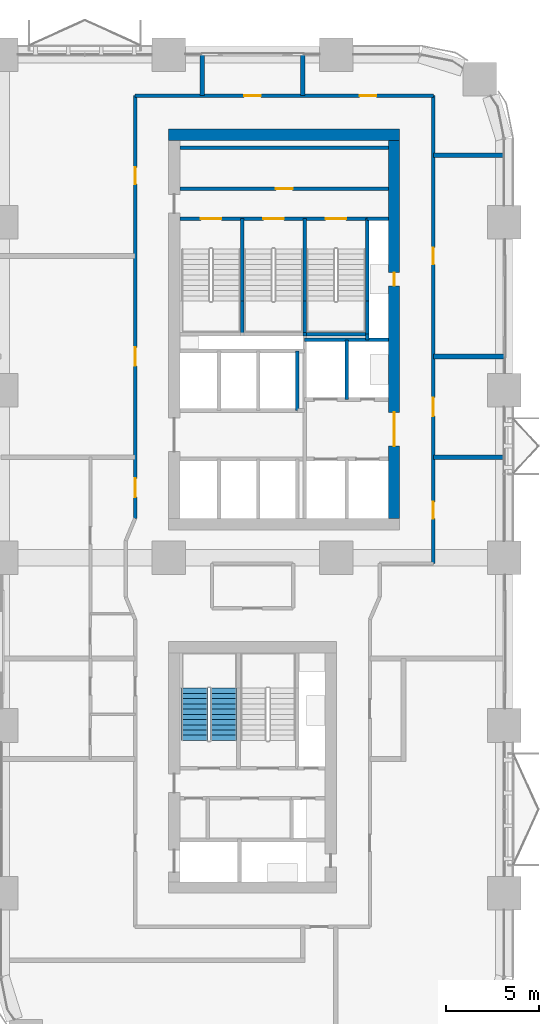
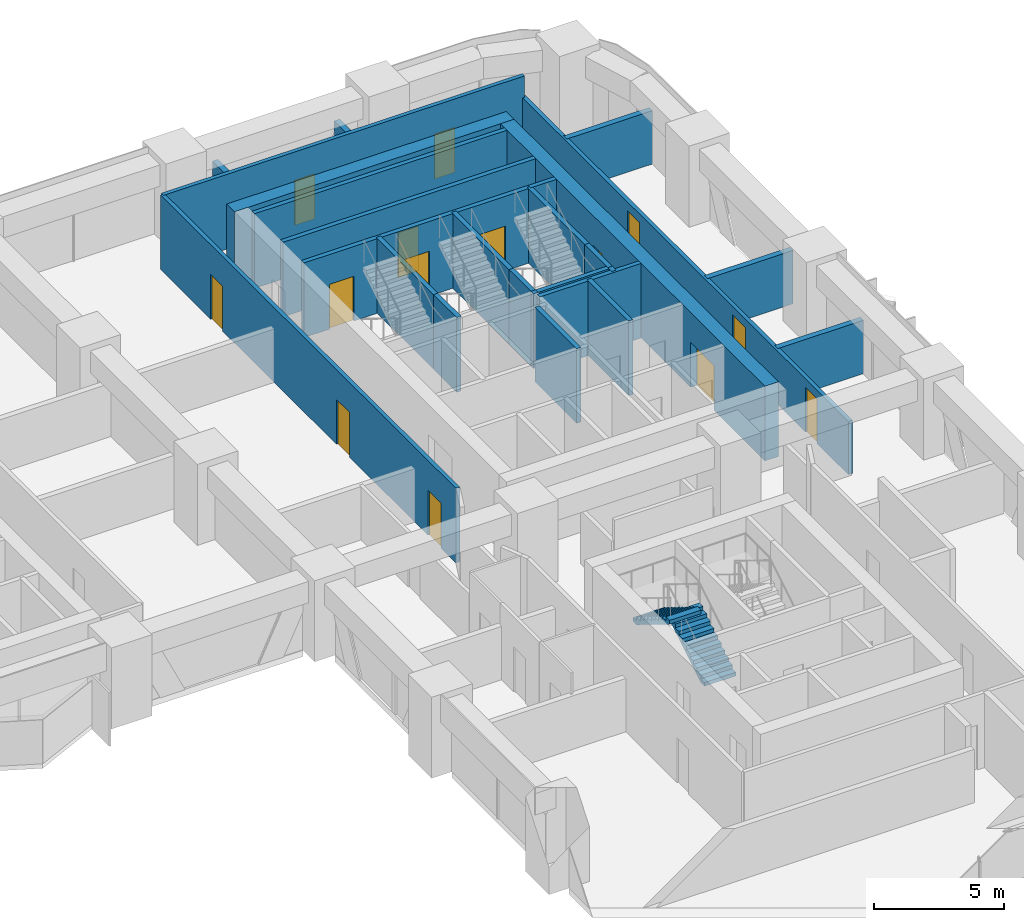
# One storey, part 15 of 18: 26 walls, 14 doors, 2 stair flights, 14 openings, 1 element without a shape of its own.
"""IFC4 building model written with IfcOpenShell, lengths in metres."""

from ifc_helpers import new_model, si_unit, direction, frame, frame_2d, origin, place, context, subcontext, project, spatial, polyline, rectangle, outline, extrude, material, layer, layer_set, type_object, element, fill, aggregate, save


model = new_model("IFC4")

# Units and contexts
model_context = context("Model", 3, precision=1e-05, world=origin(), true_north=direction((0.0, 1.0)))
body_context = subcontext(model_context, "Body", "Model", "MODEL_VIEW")
ifc_project = project(units=[si_unit("LENGTHUNIT", "METRE"), si_unit("AREAUNIT", "SQUARE_METRE"), si_unit("VOLUMEUNIT", "CUBIC_METRE"), si_unit("PLANEANGLEUNIT", "RADIAN"), si_unit("MASSUNIT", "GRAM", prefix="KILO")], contexts=[model_context])

# Site, building, storey
site_placement = place(None, origin())
site = spatial("IfcSite", under=ifc_project, at=site_placement, CompositionType="ELEMENT")
building_placement = place(site_placement, origin())
building = spatial("IfcBuilding", under=site, at=building_placement, Name="Tessera Arch", CompositionType="ELEMENT")
storey_placement = place(building_placement, frame((0.0, 0.0, 89.199951171875)))
storey = spatial("IfcBuildingStorey", under=building, at=storey_placement, Name="L20", CompositionType="ELEMENT", Elevation=89.199951171875)

# Wall, opening, door
ifc_material_1 = material(Name="Gypsum board on steel stud", Category="steel")
ifc_layer_1 = layer(ifc_material_1, 0.125)
ifc_layer_set_1 = layer_set([ifc_layer_1], Name="Core partition 125 EI 60")
wall_type_1 = type_object("IfcWallType", Name="Core partition 125 EI 60", PredefinedType="PARTITIONING", material=ifc_layer_set_1)
wall_1_placement = place(storey_placement, frame((36.60009765625, 46.800048828125, 0.0), z_axis=(0.0, 0.0, 1.0), x_axis=(1.0, 0.0, 0.0)))
wall_1 = element("IfcWall", 1, at=wall_1_placement, inside=storey, type_object=wall_type_1, Name="L20 C1 partition wall 30", PredefinedType="PARTITIONING", context=body_context, shape_type="SweptSolid", body=[
    extrude(rectangle(XDim=11.199951171875, YDim=0.199951171875, at=frame_2d((5.60009765625, 0.0))), origin(), (0.0, 0.0, 1.0), 3.5),
])
opening_1_placement = place(wall_1_placement, frame((5.14990234375, 0.0, 0.0)))
opening_1 = element("IfcOpeningElement", 2, at=opening_1_placement, cuts=wall_1, Name="Opening L20-C12", PredefinedType="OPENING", context=body_context, shape_type="SweptSolid", body=[
    extrude(rectangle(XDim=0.89990234375, YDim=2.10009765625, at=frame_2d((0.449951171875, 1.050048828125))), frame((0.0, 0.10986328125, 0.0), z_axis=(0.0, -1.0, 0.0), x_axis=(1.0, 0.0, 0.0)), (0.0, 0.0, 1.0), 0.219970703125),
])
ifc_material_2 = material(Name="Steel door leaf", Category="steel")
door_type_1 = type_object("IfcDoorType", Name="Store door FD30S 900 x 2100", OperationType="SINGLE_SWING_LEFT", PredefinedType="DOOR", material=ifc_material_2)
door_1_placement = place(opening_1_placement, origin())
door_1 = element("IfcDoor", 3, at=door_1_placement, inside=storey, type_object=door_type_1, Name="L20 C1 door 12 C12 type D09", OperationType="SINGLE_SWING_RIGHT", OverallHeight=2.10009765625, OverallWidth=0.89990234375, PredefinedType="DOOR", context=body_context, shape_type="SweptSolid", body=[
    extrude(rectangle(XDim=0.89990234375, YDim=2.10009765625, at=frame_2d((0.449951171875, 1.050048828125))), frame((0.0, 0.02490234375, 0.0), z_axis=(0.0, -1.0, 0.0), x_axis=(1.0, 0.0, 0.0)), (0.0, 0.0, 1.0), 0.050048828125),
])
fill(opening_1, door_1)

# Walls
wall_2_placement = place(storey_placement, frame((36.60009765625, 49.0, 0.0), z_axis=(0.0, 0.0, 1.0), x_axis=(1.0, 0.0, 0.0)))
element("IfcWall", 4, at=wall_2_placement, inside=storey, type_object=wall_type_1, Name="L20 C1 partition wall 31", PredefinedType="PARTITIONING", context=body_context, shape_type="SweptSolid", body=[
    extrude(rectangle(XDim=11.199951171875, YDim=0.199951171875, at=frame_2d((5.60009765625, 0.0))), origin(), (0.0, 0.0, 1.0), 3.5),
])
ifc_material_3 = material(Name="Concrete C70/85", Category="concrete")
ifc_layer_2 = layer(ifc_material_3, 0.60009765625)
ifc_layer_set_2 = layer_set([ifc_layer_2], Name="Core shell wall 600 C70-85")
wall_type_2 = type_object("IfcWallType", Name="Core shell wall 600 C70-85", PredefinedType="SHEAR", material=ifc_layer_set_2)
wall_3_placement = place(storey_placement, frame((36.0, 49.699951171875, 0.0), z_axis=(0.0, 0.0, 1.0), x_axis=(1.0, 0.0, 0.0)))
element("IfcWall", 5, at=wall_3_placement, inside=storey, type_object=wall_type_2, Name="L20 C1 core wall N", PredefinedType="SHEAR", context=body_context, shape_type="SweptSolid", body=[
    extrude(rectangle(XDim=12.39990234375, YDim=0.60009765625, at=frame_2d((6.199951171875, 0.0))), origin(), (0.0, 0.0, 1.0), 3.5),
])

# Wall, openings, doors
wall_4_placement = place(storey_placement, frame((48.10009765625, 29.10009765625, 0.0), z_axis=(0.0, 0.0, 1.0), x_axis=(0.0, 1.0, 0.0)))
wall_4 = element("IfcWall", 6, at=wall_4_placement, inside=storey, type_object=wall_type_2, Name="L20 C1 core wall E", PredefinedType="SHEAR", context=body_context, shape_type="SweptSolid", body=[
    extrude(rectangle(XDim=20.2998046875, YDim=0.60009765625, at=frame_2d((10.14990234375, 0.0))), origin(), (0.0, 0.0, 1.0), 3.5),
])
opening_2_placement = place(wall_4_placement, frame((12.5, 0.0, 0.0)))
opening_2 = element("IfcOpeningElement", 7, at=opening_2_placement, cuts=wall_4, Name="Opening L20-C08", PredefinedType="OPENING", context=body_context, shape_type="SweptSolid", body=[
    extrude(rectangle(XDim=0.699951171875, YDim=2.10009765625, at=frame_2d((0.35009765625, 1.050048828125))), frame((0.0, 0.31005859375, 0.0), z_axis=(0.0, -1.0, 0.0), x_axis=(1.0, 0.0, 0.0)), (0.0, 0.0, 1.0), 0.6201171875),
])
opening_3_placement = place(wall_4_placement, frame((3.89990234375, 0.0, 0.0)))
opening_3 = element("IfcOpeningElement", 8, at=opening_3_placement, cuts=wall_4, Name="Opening L20-C09", PredefinedType="OPENING", context=body_context, shape_type="SweptSolid", body=[
    extrude(rectangle(XDim=1.800048828125, YDim=2.10009765625, at=frame_2d((0.89990234375, 1.050048828125))), frame((0.0, 0.31005859375, 0.0), z_axis=(0.0, -1.0, 0.0), x_axis=(1.0, 0.0, 0.0)), (0.0, 0.0, 1.0), 0.6201171875),
])
ifc_material_4 = material(Name="Glazed steel door leaf", Category="steel")
door_type_2 = type_object("IfcDoorType", Name="Lobby double door FD60 1800 x 2100", OperationType="DOUBLE_DOOR_SINGLE_SWING", PredefinedType="DOOR", material=ifc_material_4)
door_2_placement = place(opening_3_placement, origin())
door_2 = element("IfcDoor", 9, at=door_2_placement, inside=storey, type_object=door_type_2, Name="L20 C1 door 9 C09 type D19", OperationType="DOUBLE_DOOR_SINGLE_SWING", OverallHeight=2.10009765625, OverallWidth=1.800048828125, PredefinedType="DOOR", context=body_context, shape_type="SweptSolid", body=[
    extrude(rectangle(XDim=1.800048828125, YDim=2.10009765625, at=frame_2d((0.89990234375, 1.050048828125))), frame((0.0, 0.02490234375, 0.0), z_axis=(0.0, -1.0, 0.0), x_axis=(1.0, 0.0, 0.0)), (0.0, 0.0, 1.0), 0.050048828125),
])
fill(opening_3, door_2)
ifc_material_5 = material(Name="Steel door leaf", Category="steel")
door_type_3 = type_object("IfcDoorType", Name="Service shaft door FD60 700 x 2100", OperationType="SINGLE_SWING_LEFT", PredefinedType="DOOR", material=ifc_material_5)
door_3_placement = place(opening_2_placement, origin())
door_3 = element("IfcDoor", 10, at=door_3_placement, inside=storey, type_object=door_type_3, Name="L20 C1 door 8 C08 type D07", OperationType="SINGLE_SWING_RIGHT", OverallHeight=2.10009765625, OverallWidth=0.699951171875, PredefinedType="DOOR", context=body_context, shape_type="SweptSolid", body=[
    extrude(rectangle(XDim=0.699951171875, YDim=2.10009765625, at=frame_2d((0.35009765625, 1.050048828125))), frame((0.0, 0.02490234375, 0.0), z_axis=(0.0, -1.0, 0.0), x_axis=(1.0, 0.0, 0.0)), (0.0, 0.0, 1.0), 0.050048828125),
])
fill(opening_2, door_3)

ifc_material_6 = material(Name="Gypsum board on deep steel stud with mineral wool", Category="steel")
ifc_layer_3 = layer(ifc_material_6, 0.175048828125)
ifc_layer_set_3 = layer_set([ifc_layer_3], Name="Corridor wall 175 EI 60")
wall_type_3 = type_object("IfcWallType", Name="Corridor wall 175 EI 60", PredefinedType="PARTITIONING", material=ifc_layer_set_3)
wall_5_placement = place(storey_placement, frame((34.199951171875, 51.800048828125, 0.0), z_axis=(0.0, 0.0, 1.0), x_axis=(1.0, 0.0, 0.0)))
wall_5 = element("IfcWall", 11, at=wall_5_placement, inside=storey, type_object=wall_type_3, Name="L20 partition 8", PredefinedType="PARTITIONING", context=body_context, shape_type="SweptSolid", body=[
    extrude(rectangle(XDim=16.0, YDim=0.175048828125, at=frame_2d((8.0, 0.0))), origin(), (0.0, 0.0, 1.0), 3.5),
])
opening_4_placement = place(wall_5_placement, frame((12.050048828125, 0.0, 0.0)))
opening_4 = element("IfcOpeningElement", 12, at=opening_4_placement, cuts=wall_5, Name="Opening L20-D023", PredefinedType="OPENING", context=body_context, shape_type="SweptSolid", body=[
    extrude(rectangle(XDim=0.89990234375, YDim=2.10009765625, at=frame_2d((0.449951171875, 1.050048828125))), frame((0.0, 0.097412109375, 0.0), z_axis=(0.0, -1.0, 0.0), x_axis=(1.0, 0.0, 0.0)), (0.0, 0.0, 1.0), 0.195068359375),
])
opening_5_placement = place(wall_5_placement, frame((5.85009765625, 0.0, 0.0)))
opening_5 = element("IfcOpeningElement", 13, at=opening_5_placement, cuts=wall_5, Name="Opening L20-D026", PredefinedType="OPENING", context=body_context, shape_type="SweptSolid", body=[
    extrude(rectangle(XDim=0.89990234375, YDim=2.10009765625, at=frame_2d((0.449951171875, 1.050048828125))), frame((0.0, 0.097412109375, 0.0), z_axis=(0.0, -1.0, 0.0), x_axis=(1.0, 0.0, 0.0)), (0.0, 0.0, 1.0), 0.195068359375),
])
ifc_material_7 = material(Name="Timber door leaf", Category="wood")
door_type_4 = type_object("IfcDoorType", Name="Room door 900 x 2100", OperationType="SINGLE_SWING_LEFT", PredefinedType="DOOR", material=ifc_material_7)
door_4_placement = place(opening_4_placement, origin())
door_4 = element("IfcDoor", 14, at=door_4_placement, inside=storey, type_object=door_type_4, Name="L20 door D023 type D01", OperationType="SINGLE_SWING_LEFT", OverallHeight=2.10009765625, OverallWidth=0.89990234375, PredefinedType="DOOR", context=body_context, shape_type="SweptSolid", body=[
    extrude(rectangle(XDim=0.89990234375, YDim=2.10009765625, at=frame_2d((0.449951171875, 1.050048828125))), frame((0.0, 0.02490234375, 0.0), z_axis=(0.0, -1.0, 0.0), x_axis=(1.0, 0.0, 0.0)), (0.0, 0.0, 1.0), 0.050048828125),
])
fill(opening_4, door_4)
door_5_placement = place(opening_5_placement, origin())
door_5 = element("IfcDoor", 15, at=door_5_placement, inside=storey, type_object=door_type_4, Name="L20 door D026 type D01", OperationType="SINGLE_SWING_RIGHT", OverallHeight=2.10009765625, OverallWidth=0.89990234375, PredefinedType="DOOR", context=body_context, shape_type="SweptSolid", body=[
    extrude(rectangle(XDim=0.89990234375, YDim=2.10009765625, at=frame_2d((0.449951171875, 1.050048828125))), frame((0.0, 0.02490234375, 0.0), z_axis=(0.0, -1.0, 0.0), x_axis=(1.0, 0.0, 0.0)), (0.0, 0.0, 1.0), 0.050048828125),
])
fill(opening_5, door_5)

wall_6_placement = place(storey_placement, frame((34.199951171875, 29.1201171875, 0.0), z_axis=(0.0, 0.0, 1.0), x_axis=(0.0, 1.0, 0.0)))
wall_6 = element("IfcWall", 16, at=wall_6_placement, inside=storey, type_object=wall_type_3, Name="L20 partition 13", PredefinedType="PARTITIONING", context=body_context, shape_type="SweptSolid", body=[
    extrude(rectangle(XDim=22.679931640625, YDim=0.175048828125, at=frame_2d((11.33984375, 0.0))), origin(), (0.0, 0.0, 1.0), 3.5),
])
opening_6_placement = place(wall_6_placement, frame((1.139892578125, 0.0, 0.0)))
opening_6 = element("IfcOpeningElement", 17, at=opening_6_placement, cuts=wall_6, Name="Opening L20-D010", PredefinedType="OPENING", context=body_context, shape_type="SweptSolid", body=[
    extrude(rectangle(XDim=1.0, YDim=2.10009765625, at=frame_2d((0.5, 1.050048828125))), frame((0.0, 0.097412109375, 0.0), z_axis=(0.0, -1.0, 0.0), x_axis=(1.0, 0.0, 0.0)), (0.0, 0.0, 1.0), 0.195068359375),
])
opening_7_placement = place(wall_6_placement, frame((8.179931640625, 0.0, 0.0)))
opening_7 = element("IfcOpeningElement", 18, at=opening_7_placement, cuts=wall_6, Name="Opening L20-D016", PredefinedType="OPENING", context=body_context, shape_type="SweptSolid", body=[
    extrude(rectangle(XDim=1.0, YDim=2.10009765625, at=frame_2d((0.5, 1.050048828125))), frame((0.0, 0.097412109375, 0.0), z_axis=(0.0, -1.0, 0.0), x_axis=(1.0, 0.0, 0.0)), (0.0, 0.0, 1.0), 0.195068359375),
])
opening_8_placement = place(wall_6_placement, frame((17.929931640625, 0.0, 0.0)))
opening_8 = element("IfcOpeningElement", 19, at=opening_8_placement, cuts=wall_6, Name="Opening L20-D021", PredefinedType="OPENING", context=body_context, shape_type="SweptSolid", body=[
    extrude(rectangle(XDim=0.89990234375, YDim=2.10009765625, at=frame_2d((0.449951171875, 1.050048828125))), frame((0.0, 0.097412109375, 0.0), z_axis=(0.0, -1.0, 0.0), x_axis=(1.0, 0.0, 0.0)), (0.0, 0.0, 1.0), 0.195068359375),
])
ifc_material_8 = material(Name="Fire-rated door leaf")
door_type_5 = type_object("IfcDoorType", Name="Entrance door FD30S 1000 x 2100", OperationType="SINGLE_SWING_LEFT", PredefinedType="DOOR", material=ifc_material_8)
door_6_placement = place(opening_6_placement, origin())
door_6 = element("IfcDoor", 20, at=door_6_placement, inside=storey, type_object=door_type_5, Name="L20 door D010 type D03", OperationType="SINGLE_SWING_RIGHT", OverallHeight=2.10009765625, OverallWidth=1.0, PredefinedType="DOOR", context=body_context, shape_type="SweptSolid", body=[
    extrude(rectangle(XDim=1.0, YDim=2.10009765625, at=frame_2d((0.5, 1.050048828125))), frame((0.0, 0.02490234375, 0.0), z_axis=(0.0, -1.0, 0.0), x_axis=(1.0, 0.0, 0.0)), (0.0, 0.0, 1.0), 0.050048828125),
])
fill(opening_6, door_6)
door_7_placement = place(opening_7_placement, origin())
door_7 = element("IfcDoor", 21, at=door_7_placement, inside=storey, type_object=door_type_5, Name="L20 door D016 type D03", OperationType="SINGLE_SWING_RIGHT", OverallHeight=2.10009765625, OverallWidth=1.0, PredefinedType="DOOR", context=body_context, shape_type="SweptSolid", body=[
    extrude(rectangle(XDim=1.0, YDim=2.10009765625, at=frame_2d((0.5, 1.050048828125))), frame((0.0, 0.02490234375, 0.0), z_axis=(0.0, -1.0, 0.0), x_axis=(1.0, 0.0, 0.0)), (0.0, 0.0, 1.0), 0.050048828125),
])
fill(opening_7, door_7)
door_8_placement = place(opening_8_placement, origin())
door_8 = element("IfcDoor", 22, at=door_8_placement, inside=storey, type_object=door_type_4, Name="L20 door D021 type D01", OperationType="SINGLE_SWING_LEFT", OverallHeight=2.10009765625, OverallWidth=0.89990234375, PredefinedType="DOOR", context=body_context, shape_type="SweptSolid", body=[
    extrude(rectangle(XDim=0.89990234375, YDim=2.10009765625, at=frame_2d((0.449951171875, 1.050048828125))), frame((0.0, 0.02490234375, 0.0), z_axis=(0.0, -1.0, 0.0), x_axis=(1.0, 0.0, 0.0)), (0.0, 0.0, 1.0), 0.050048828125),
])
fill(opening_8, door_8)

wall_7_placement = place(storey_placement, frame((50.199951171875, 26.699951171875, 0.0), z_axis=(0.0, 0.0, 1.0), x_axis=(0.0, 1.0, 0.0)))
wall_7 = element("IfcWall", 23, at=wall_7_placement, inside=storey, type_object=wall_type_3, Name="L20 partition 18", PredefinedType="PARTITIONING", context=body_context, shape_type="SweptSolid", body=[
    extrude(rectangle(XDim=25.10009765625, YDim=0.175048828125, at=frame_2d((12.550048828125, 0.0))), origin(), (0.0, 0.0, 1.0), 2.5),
])
opening_9_placement = place(wall_7_placement, frame((2.39990234375, 0.0, 0.0)))
opening_9 = element("IfcOpeningElement", 24, at=opening_9_placement, cuts=wall_7, Name="Opening L20-D009", PredefinedType="OPENING", context=body_context, shape_type="SweptSolid", body=[
    extrude(rectangle(XDim=0.89990234375, YDim=2.10009765625, at=frame_2d((0.449951171875, 1.050048828125))), frame((0.0, 0.097412109375, 0.0), z_axis=(0.0, -1.0, 0.0), x_axis=(1.0, 0.0, 0.0)), (0.0, 0.0, 1.0), 0.195068359375),
])
opening_10_placement = place(wall_7_placement, frame((7.89990234375, 0.0, 0.0)))
opening_10 = element("IfcOpeningElement", 25, at=opening_10_placement, cuts=wall_7, Name="Opening L20-D015", PredefinedType="OPENING", context=body_context, shape_type="SweptSolid", body=[
    extrude(rectangle(XDim=1.0, YDim=2.10009765625, at=frame_2d((0.5, 1.050048828125))), frame((0.0, 0.097412109375, 0.0), z_axis=(0.0, -1.0, 0.0), x_axis=(1.0, 0.0, 0.0)), (0.0, 0.0, 1.0), 0.195068359375),
])
opening_11_placement = place(wall_7_placement, frame((16.050048828125, 0.0, 0.0)))
opening_11 = element("IfcOpeningElement", 26, at=opening_11_placement, cuts=wall_7, Name="Opening L20-D019", PredefinedType="OPENING", context=body_context, shape_type="SweptSolid", body=[
    extrude(rectangle(XDim=0.89990234375, YDim=2.10009765625, at=frame_2d((0.449951171875, 1.050048828125))), frame((0.0, 0.097412109375, 0.0), z_axis=(0.0, -1.0, 0.0), x_axis=(1.0, 0.0, 0.0)), (0.0, 0.0, 1.0), 0.195068359375),
])
door_9_placement = place(opening_10_placement, origin())
door_9 = element("IfcDoor", 27, at=door_9_placement, inside=storey, type_object=door_type_5, Name="L20 door D015 type D03", OperationType="SINGLE_SWING_RIGHT", OverallHeight=2.10009765625, OverallWidth=1.0, PredefinedType="DOOR", context=body_context, shape_type="SweptSolid", body=[
    extrude(rectangle(XDim=1.0, YDim=2.10009765625, at=frame_2d((0.5, 1.050048828125))), frame((0.0, 0.02490234375, 0.0), z_axis=(0.0, -1.0, 0.0), x_axis=(1.0, 0.0, 0.0)), (0.0, 0.0, 1.0), 0.050048828125),
])
fill(opening_10, door_9)
door_10_placement = place(opening_9_placement, origin())
door_10 = element("IfcDoor", 28, at=door_10_placement, inside=storey, type_object=door_type_4, Name="L20 door D009 type D01", OperationType="SINGLE_SWING_RIGHT", OverallHeight=2.10009765625, OverallWidth=0.89990234375, PredefinedType="DOOR", context=body_context, shape_type="SweptSolid", body=[
    extrude(rectangle(XDim=0.89990234375, YDim=2.10009765625, at=frame_2d((0.449951171875, 1.050048828125))), frame((0.0, 0.02490234375, 0.0), z_axis=(0.0, -1.0, 0.0), x_axis=(1.0, 0.0, 0.0)), (0.0, 0.0, 1.0), 0.050048828125),
])
fill(opening_9, door_10)
door_11_placement = place(opening_11_placement, origin())
door_11 = element("IfcDoor", 29, at=door_11_placement, inside=storey, type_object=door_type_4, Name="L20 door D019 type D01", OperationType="SINGLE_SWING_RIGHT", OverallHeight=2.10009765625, OverallWidth=0.89990234375, PredefinedType="DOOR", context=body_context, shape_type="SweptSolid", body=[
    extrude(rectangle(XDim=0.89990234375, YDim=2.10009765625, at=frame_2d((0.449951171875, 1.050048828125))), frame((0.0, 0.02490234375, 0.0), z_axis=(0.0, -1.0, 0.0), x_axis=(1.0, 0.0, 0.0)), (0.0, 0.0, 1.0), 0.050048828125),
])
fill(opening_11, door_11)

# Walls
ifc_material_9 = material(Name="Double gypsum board on twin steel stud with acoustic mineral wool", Category="steel")
ifc_layer_4 = layer(ifc_material_9, 0.25)
ifc_layer_set_4 = layer_set([ifc_layer_4], Name="Party wall 250 EI 60")
wall_type_4 = type_object("IfcWallType", Name="Party wall 250 EI 60", PredefinedType="PARTITIONING", material=ifc_layer_set_4)
for number, where, z_axis, x_axis, name in (
    (30, (50.199951171875, 32.39990234375, 0.0), (0.0, 0.0, 1.0), (1.0, 0.0, 0.0), "L20 partition 27"),
    (31, (50.199951171875, 37.800048828125, 0.0), (0.0, 0.0, 1.0), (1.0, 0.0, 0.0), "L20 partition 30"),
    (32, (50.199951171875, 48.60009765625, 0.0), (0.0, 0.0, 1.0), (1.0, 0.0, 0.0), "L20 partition 33"),
):
    element("IfcWall", number, at=place(storey_placement, frame(where, z_axis=z_axis, x_axis=x_axis)), inside=storey, type_object=wall_type_4, Name=name, PredefinedType="PARTITIONING", context=body_context, shape_type="SweptSolid", body=[
        extrude(rectangle(XDim=3.800048828125, YDim=0.25, at=frame_2d((1.89990234375, 0.0))), origin(), (0.0, 0.0, 1.0), 2.5),
    ])
for number, where, z_axis, x_axis, name in (
    (33, (37.800048828125, 51.800048828125, 0.0), (0.0, 0.0, 1.0), (0.0, 1.0, 0.0), "L20 partition 39"),
    (34, (43.199951171875, 51.800048828125, 0.0), (0.0, 0.0, 1.0), (0.0, 1.0, 0.0), "L20 partition 41"),
):
    element("IfcWall", number, at=place(storey_placement, frame(where, z_axis=z_axis, x_axis=x_axis)), inside=storey, type_object=wall_type_4, Name=name, PredefinedType="PARTITIONING", context=body_context, shape_type="SweptSolid", body=[
        extrude(rectangle(XDim=2.199951171875, YDim=0.25, at=frame_2d((1.10009765625, 0.0))), origin(), (0.0, 0.0, 1.0), 2.5),
    ])
ifc_material_10 = material(Name="Concrete C40/50", Category="concrete")
ifc_layer_5 = layer(ifc_material_10, 0.199951171875)
ifc_layer_set_5 = layer_set([ifc_layer_5], Name="Shaft wall 200 EI 120")
wall_type_5 = type_object("IfcWallType", Name="Shaft wall 200 EI 120", PredefinedType="SOLIDWALL", material=ifc_layer_set_5)
wall_8_placement = place(storey_placement, frame((42.89990234375, 34.89990234375, 0.0), z_axis=(0.0, 0.0, 1.0), x_axis=(0.0, 1.0, 0.0)))
element("IfcWall", 35, at=wall_8_placement, inside=storey, type_object=wall_type_5, Name="L20 C1 shaft wall 8", PredefinedType="SOLIDWALL", context=body_context, shape_type="SweptSolid", body=[
    extrude(rectangle(XDim=3.2001953125, YDim=0.199951171875, at=frame_2d((1.60009765625, 0.0))), origin(), (0.0, 0.0, 1.0), 3.5),
])
wall_9_placement = place(storey_placement, frame((45.550048828125, 35.5, 0.0), z_axis=(0.0, 0.0, 1.0), x_axis=(0.0, 1.0, 0.0)))
element("IfcWall", 36, at=wall_9_placement, inside=storey, type_object=wall_type_5, Name="L20 C1 shaft wall 13", PredefinedType="SOLIDWALL", context=body_context, shape_type="SweptSolid", body=[
    extrude(rectangle(XDim=3.199951171875, YDim=0.199951171875, at=frame_2d((1.60009765625, 0.0))), origin(), (0.0, 0.0, 1.0), 3.5),
])
wall_10_placement = place(storey_placement, frame((46.64990234375, 38.699951171875, 0.0), z_axis=(0.0, 0.0, 1.0), x_axis=(0.0, 1.0, 0.0)))
element("IfcWall", 37, at=wall_10_placement, inside=storey, type_object=wall_type_5, Name="L20 C1 shaft wall 14", PredefinedType="SOLIDWALL", context=body_context, shape_type="SweptSolid", body=[
    extrude(rectangle(XDim=0.300048828125, YDim=0.199951171875, at=frame_2d((0.14990234375, 0.0))), origin(), (0.0, 0.0, 1.0), 3.5),
])
wall_11_placement = place(storey_placement, frame((43.300048828125, 38.699951171875, 0.0), z_axis=(0.0, 0.0, 1.0), x_axis=(1.0, 0.0, 0.0)))
element("IfcWall", 38, at=wall_11_placement, inside=storey, type_object=wall_type_5, Name="L20 C1 shaft wall 22", PredefinedType="SOLIDWALL", context=body_context, shape_type="SweptSolid", body=[
    extrude(rectangle(XDim=4.5, YDim=0.199951171875, at=frame_2d((2.25, 0.0))), origin(), (0.0, 0.0, 1.0), 3.5),
])
wall_12_placement = place(storey_placement, frame((46.64990234375, 45.199951171875, 0.0), z_axis=(0.0, 0.0, 1.0), x_axis=(1.0, 0.0, 0.0)))
element("IfcWall", 39, at=wall_12_placement, inside=storey, type_object=wall_type_5, Name="L20 C1 shaft wall 28", PredefinedType="SOLIDWALL", context=body_context, shape_type="SweptSolid", body=[
    extrude(rectangle(XDim=1.150146484375, YDim=0.199951171875, at=frame_2d((0.5751953125, 0.0))), origin(), (0.0, 0.0, 1.0), 3.5),
])
ifc_material_11 = material(Name="Concrete C40/50", Category="concrete")
ifc_layer_6 = layer(ifc_material_11, 0.199951171875)
ifc_layer_set_6 = layer_set([ifc_layer_6], Name="Stair well wall 200 REI 180")
wall_type_6 = type_object("IfcWallType", Name="Stair well wall 200 REI 180", PredefinedType="SOLIDWALL", material=ifc_layer_set_6)
wall_13_placement = place(storey_placement, frame((39.949951171875, 39.0, 0.0), z_axis=(0.0, 0.0, 1.0), x_axis=(0.0, 1.0, 0.0)))
element("IfcWall", 40, at=wall_13_placement, inside=storey, type_object=wall_type_6, Name="L20 C1 shaft wall 3", PredefinedType="SOLIDWALL", context=body_context, shape_type="SweptSolid", body=[
    extrude(rectangle(XDim=1.780029296875, YDim=0.199951171875, at=frame_2d((0.89013671875, 0.0))), origin(), (0.0, 0.0, 1.0), 3.5),
])
wall_14_placement = place(storey_placement, frame((39.949951171875, 40.780029296875, 0.0), z_axis=(0.0, 0.0, 1.0), x_axis=(0.0, 1.0, 0.0)))
element("IfcWall", 41, at=wall_14_placement, inside=storey, type_object=wall_type_6, Name="L20 C1 shaft wall 4", PredefinedType="SOLIDWALL", context=body_context, shape_type="SweptSolid", body=[
    extrude(rectangle(XDim=4.419921875, YDim=0.199951171875, at=frame_2d((2.2099609375, 0.0))), origin(), (0.0, 0.0, 1.0), 3.5),
])
wall_15_placement = place(storey_placement, frame((43.300048828125, 39.0, 0.0), z_axis=(0.0, 0.0, 1.0), x_axis=(0.0, 1.0, 0.0)))
element("IfcWall", 42, at=wall_15_placement, inside=storey, type_object=wall_type_6, Name="L20 C1 shaft wall 10", PredefinedType="SOLIDWALL", context=body_context, shape_type="SweptSolid", body=[
    extrude(rectangle(XDim=1.780029296875, YDim=0.199951171875, at=frame_2d((0.89013671875, 0.0))), origin(), (0.0, 0.0, 1.0), 3.5),
])
wall_16_placement = place(storey_placement, frame((43.300048828125, 40.780029296875, 0.0), z_axis=(0.0, 0.0, 1.0), x_axis=(0.0, 1.0, 0.0)))
element("IfcWall", 43, at=wall_16_placement, inside=storey, type_object=wall_type_6, Name="L20 C1 shaft wall 11", PredefinedType="SOLIDWALL", context=body_context, shape_type="SweptSolid", body=[
    extrude(rectangle(XDim=4.419921875, YDim=0.199951171875, at=frame_2d((2.2099609375, 0.0))), origin(), (0.0, 0.0, 1.0), 3.5),
])
wall_17_placement = place(storey_placement, frame((46.64990234375, 39.0, 0.0), z_axis=(0.0, 0.0, 1.0), x_axis=(0.0, 1.0, 0.0)))
element("IfcWall", 44, at=wall_17_placement, inside=storey, type_object=wall_type_6, Name="L20 C1 shaft wall 15", PredefinedType="SOLIDWALL", context=body_context, shape_type="SweptSolid", body=[
    extrude(rectangle(XDim=1.780029296875, YDim=0.199951171875, at=frame_2d((0.89013671875, 0.0))), origin(), (0.0, 0.0, 1.0), 3.5),
])
wall_18_placement = place(storey_placement, frame((46.64990234375, 40.780029296875, 0.0), z_axis=(0.0, 0.0, 1.0), x_axis=(0.0, 1.0, 0.0)))
element("IfcWall", 45, at=wall_18_placement, inside=storey, type_object=wall_type_6, Name="L20 C1 shaft wall 16", PredefinedType="SOLIDWALL", context=body_context, shape_type="SweptSolid", body=[
    extrude(rectangle(XDim=4.419921875, YDim=0.199951171875, at=frame_2d((2.2099609375, 0.0))), origin(), (0.0, 0.0, 1.0), 3.5),
])
wall_19_placement = place(storey_placement, frame((43.199951171875, 39.0, 0.0), z_axis=(0.0, 0.0, 1.0), x_axis=(1.0, 0.0, 0.0)))
element("IfcWall", 46, at=wall_19_placement, inside=storey, type_object=wall_type_6, Name="L20 C1 shaft wall 26", PredefinedType="SOLIDWALL", context=body_context, shape_type="SweptSolid", body=[
    extrude(rectangle(XDim=0.199951171875, YDim=0.199951171875, at=frame_2d((0.10009765625, 0.0))), origin(), (0.0, 0.0, 1.0), 3.5),
])
wall_20_placement = place(storey_placement, frame((43.39990234375, 39.0, 0.0), z_axis=(0.0, 0.0, 1.0), x_axis=(1.0, 0.0, 0.0)))
element("IfcWall", 47, at=wall_20_placement, inside=storey, type_object=wall_type_6, Name="L20 C1 shaft wall 27", PredefinedType="SOLIDWALL", context=body_context, shape_type="SweptSolid", body=[
    extrude(rectangle(XDim=3.25, YDim=0.199951171875, at=frame_2d((1.625, 0.0))), origin(), (0.0, 0.0, 1.0), 3.5),
])

# Wall, openings, doors
wall_21_placement = place(storey_placement, frame((36.60009765625, 45.199951171875, 0.0), z_axis=(0.0, 0.0, 1.0), x_axis=(1.0, 0.0, 0.0)))
wall_21 = element("IfcWall", 48, at=wall_21_placement, inside=storey, type_object=wall_type_6, Name="L20 C1 shaft wall 29", PredefinedType="SOLIDWALL", context=body_context, shape_type="SweptSolid", body=[
    extrude(rectangle(XDim=10.0498046875, YDim=0.199951171875, at=frame_2d((5.02490234375, 0.0))), origin(), (0.0, 0.0, 1.0), 3.5),
])
opening_12_placement = place(wall_21_placement, frame((1.125, 0.0, 0.0)))
opening_12 = element("IfcOpeningElement", 49, at=opening_12_placement, cuts=wall_21, Name="Opening L20-C05", PredefinedType="OPENING", context=body_context, shape_type="SweptSolid", body=[
    extrude(rectangle(XDim=1.10009765625, YDim=2.10009765625, at=frame_2d((0.550048828125, 1.050048828125))), frame((0.0, 0.10986328125, 0.0), z_axis=(0.0, -1.0, 0.0), x_axis=(1.0, 0.0, 0.0)), (0.0, 0.0, 1.0), 0.219970703125),
])
opening_13_placement = place(wall_21_placement, frame((4.47509765625, 0.0, 0.0)))
opening_13 = element("IfcOpeningElement", 50, at=opening_13_placement, cuts=wall_21, Name="Opening L20-C06", PredefinedType="OPENING", context=body_context, shape_type="SweptSolid", body=[
    extrude(rectangle(XDim=1.10009765625, YDim=2.10009765625, at=frame_2d((0.550048828125, 1.050048828125))), frame((0.0, 0.10986328125, 0.0), z_axis=(0.0, -1.0, 0.0), x_axis=(1.0, 0.0, 0.0)), (0.0, 0.0, 1.0), 0.219970703125),
])
opening_14_placement = place(wall_21_placement, frame((7.824951171875, 0.0, 0.0)))
opening_14 = element("IfcOpeningElement", 51, at=opening_14_placement, cuts=wall_21, Name="Opening L20-C07", PredefinedType="OPENING", context=body_context, shape_type="SweptSolid", body=[
    extrude(rectangle(XDim=1.10009765625, YDim=2.10009765625, at=frame_2d((0.550048828125, 1.050048828125))), frame((0.0, 0.10986328125, 0.0), z_axis=(0.0, -1.0, 0.0), x_axis=(1.0, 0.0, 0.0)), (0.0, 0.0, 1.0), 0.219970703125),
])
ifc_material_12 = material(Name="Steel door leaf", Category="steel")
door_type_6 = type_object("IfcDoorType", Name="Stair door FD60 1100 x 2100", OperationType="SINGLE_SWING_LEFT", PredefinedType="DOOR", material=ifc_material_12)
door_12_placement = place(opening_12_placement, origin())
door_12 = element("IfcDoor", 52, at=door_12_placement, inside=storey, type_object=door_type_6, Name="L20 C1 door 5 C05 type D05", OperationType="SINGLE_SWING_LEFT", OverallHeight=2.10009765625, OverallWidth=1.10009765625, PredefinedType="DOOR", context=body_context, shape_type="SweptSolid", body=[
    extrude(rectangle(XDim=1.10009765625, YDim=2.10009765625, at=frame_2d((0.550048828125, 1.050048828125))), frame((0.0, 0.02490234375, 0.0), z_axis=(0.0, -1.0, 0.0), x_axis=(1.0, 0.0, 0.0)), (0.0, 0.0, 1.0), 0.050048828125),
])
fill(opening_12, door_12)
door_13_placement = place(opening_13_placement, origin())
door_13 = element("IfcDoor", 53, at=door_13_placement, inside=storey, type_object=door_type_6, Name="L20 C1 door 6 C06 type D05", OperationType="SINGLE_SWING_RIGHT", OverallHeight=2.10009765625, OverallWidth=1.10009765625, PredefinedType="DOOR", context=body_context, shape_type="SweptSolid", body=[
    extrude(rectangle(XDim=1.10009765625, YDim=2.10009765625, at=frame_2d((0.550048828125, 1.050048828125))), frame((0.0, 0.02490234375, 0.0), z_axis=(0.0, -1.0, 0.0), x_axis=(1.0, 0.0, 0.0)), (0.0, 0.0, 1.0), 0.050048828125),
])
fill(opening_13, door_13)
door_14_placement = place(opening_14_placement, origin())
door_14 = element("IfcDoor", 54, at=door_14_placement, inside=storey, type_object=door_type_6, Name="L20 C1 door 7 C07 type D05", OperationType="SINGLE_SWING_RIGHT", OverallHeight=2.10009765625, OverallWidth=1.10009765625, PredefinedType="DOOR", context=body_context, shape_type="SweptSolid", body=[
    extrude(rectangle(XDim=1.10009765625, YDim=2.10009765625, at=frame_2d((0.550048828125, 1.050048828125))), frame((0.0, 0.02490234375, 0.0), z_axis=(0.0, -1.0, 0.0), x_axis=(1.0, 0.0, 0.0)), (0.0, 0.0, 1.0), 0.050048828125),
])
fill(opening_14, door_14)

# Stair, stair flights
ifc_material_13 = material(Name="Concrete C40/50", Category="concrete")
stair_type = type_object("IfcStairType", Name="Dogleg stair 1400", PredefinedType="HALF_TURN_STAIR", material=ifc_material_13)
stair_placement = place(storey_placement, origin())
stair = element("IfcStair", 55, at=stair_placement, inside=storey, type_object=stair_type, Name="L20 S3a", PredefinedType="HALF_TURN_STAIR")
ifc_material_14 = material(Name="Concrete C40/50", Category="concrete")
stair_flight_type = type_object("IfcStairFlightType", Name="Stair flight 1400", PredefinedType="STRAIGHT", material=ifc_material_14)
stair_flight_1_placement = place(storey_placement, frame((38.949951171875, 17.199951171875, 0.0), z_axis=(0.0, 0.0, 1.0), x_axis=(0.0, 1.0, 0.0)))
stair_flight_1 = element("IfcStairFlight", 56, at=stair_flight_1_placement, type_object=stair_flight_type, Name="S3a flight 1", NumberOfRisers=11, NumberOfTreads=10, PredefinedType="STRAIGHT", RiserHeight=0.172727273, TreadLength=0.28, context=body_context, shape_type="SweptSolid", body=[
    extrude(outline(polyline([(0.0, 0.0), (0.0, 0.172607421875), (0.280029296875, 0.172607421875), (0.280029296875, 0.345458984375), (0.56005859375, 0.345458984375), (0.56005859375, 0.51806640625), (0.840087890625, 0.51806640625), (0.840087890625, 0.69091796875), (1.1201171875, 0.69091796875), (1.1201171875, 0.863525390625), (1.39990234375, 0.863525390625), (1.39990234375, 1.036376953125), (1.679931640625, 1.036376953125), (1.679931640625, 1.208984375), (1.9599609375, 1.208984375), (1.9599609375, 1.3818359375), (2.239990234375, 1.3818359375), (2.239990234375, 1.554443359375), (2.52001953125, 1.554443359375), (2.52001953125, 1.727294921875), (2.800048828125, 1.727294921875), (2.800048828125, 1.89990234375), (2.800048828125, 1.551025390625), (0.285400390625, 0.0), (0.0, 0.0)])), frame((0.0, 0.699951171875, 0.0), z_axis=(0.0, -1.0, 0.0), x_axis=(1.0, 0.0, 0.0)), (0.0, 0.0, 1.0), 1.39990234375),
])
stair_flight_2_placement = place(storey_placement, frame((37.39990234375, 20.0, 1.900146484375), z_axis=(0.0, 0.0, 1.0), x_axis=(0.0, -1.0, 0.0)))
stair_flight_2 = element("IfcStairFlight", 57, at=stair_flight_2_placement, type_object=stair_flight_type, Name="S3a flight 2", NumberOfRisers=11, NumberOfTreads=10, PredefinedType="STRAIGHT", RiserHeight=0.172727273, TreadLength=0.28, context=body_context, shape_type="SweptSolid", body=[
    extrude(outline(polyline([(0.0, 0.0), (0.0, 0.172607421875), (0.280029296875, 0.172607421875), (0.280029296875, 0.345458984375), (0.56005859375, 0.345458984375), (0.56005859375, 0.51806640625), (0.840087890625, 0.51806640625), (0.840087890625, 0.69091796875), (1.1201171875, 0.69091796875), (1.1201171875, 0.863525390625), (1.39990234375, 0.863525390625), (1.39990234375, 1.036376953125), (1.679931640625, 1.036376953125), (1.679931640625, 1.208984375), (1.9599609375, 1.208984375), (1.9599609375, 1.3818359375), (2.239990234375, 1.3818359375), (2.239990234375, 1.554443359375), (2.52001953125, 1.554443359375), (2.52001953125, 1.727294921875), (2.800048828125, 1.727294921875), (2.800048828125, 1.89990234375), (2.800048828125, 1.551025390625), (0.285400390625, 0.0), (0.0, 0.0)])), frame((0.0, 0.699951171875, 0.0), z_axis=(0.0, -1.0, 0.0), x_axis=(1.0, 0.0, 0.0)), (0.0, 0.0, 1.0), 1.39990234375),
])
aggregate(stair, [stair_flight_1, stair_flight_2])

save(model, "model.ifc")
